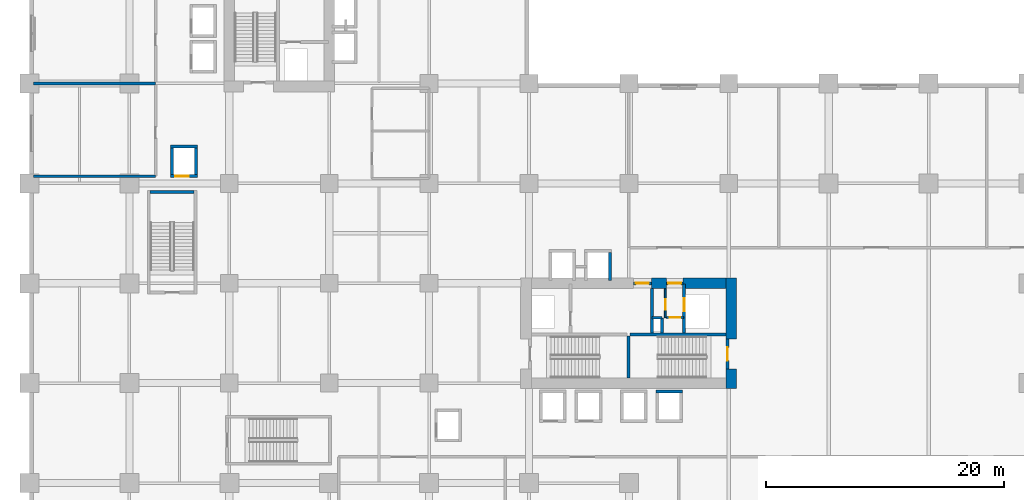
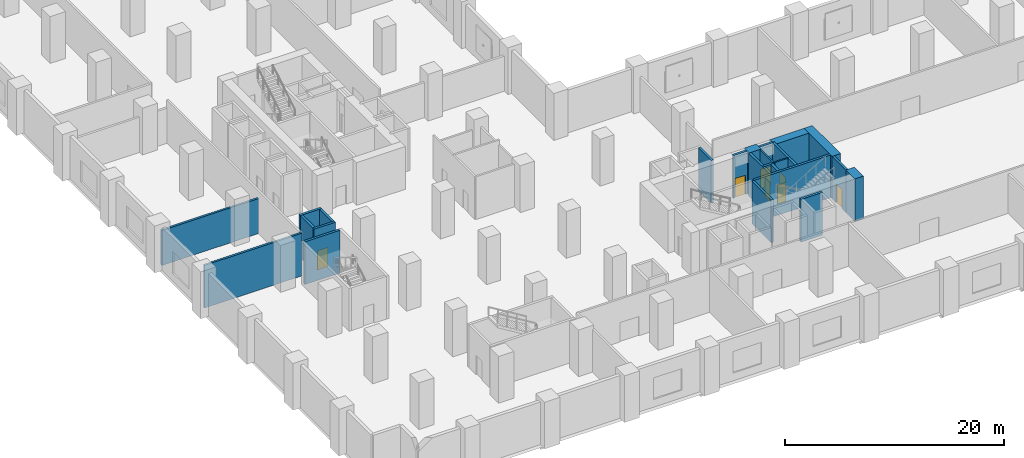
# One storey, part 10 of 23: 24 walls, 7 doors, 7 openings.
"""IFC4 building model written with IfcOpenShell, lengths in metres."""

from ifc_helpers import new_model, si_unit, direction, frame, frame_2d, origin, place, context, subcontext, project, spatial, rectangle, extrude, material, layer, layer_set, type_object, element, fill, save


model = new_model("IFC4")

# Units and contexts
model_context = context("Model", 3, precision=1e-05, world=origin(), true_north=direction((0.0, 1.0)))
body_context = subcontext(model_context, "Body", "Model", "MODEL_VIEW")
ifc_project = project(units=[si_unit("LENGTHUNIT", "METRE"), si_unit("AREAUNIT", "SQUARE_METRE"), si_unit("VOLUMEUNIT", "CUBIC_METRE"), si_unit("PLANEANGLEUNIT", "RADIAN"), si_unit("MASSUNIT", "GRAM", prefix="KILO")], contexts=[model_context])

# Site, building, storey
site_placement = place(None, origin())
site = spatial("IfcSite", under=ifc_project, at=site_placement, CompositionType="ELEMENT")
building_placement = place(site_placement, origin())
building = spatial("IfcBuilding", under=site, at=building_placement, Name="Koriwani Terraces Tower", CompositionType="ELEMENT")
storey_placement = place(building_placement, frame((0.0, 0.0, 20.800048828125)))
storey = spatial("IfcBuildingStorey", under=building, at=storey_placement, Name="L04", CompositionType="ELEMENT", Elevation=20.800048828125)

# Walls
ifc_material_1 = material(Name="Concrete C60/75", Category="concrete")
ifc_layer_1 = layer(ifc_material_1, 0.89990234375, Name="Concrete C60/75")
ifc_layer_set_1 = layer_set([ifc_layer_1], Name="Concrete C60/75")
wall_type_1 = type_object("IfcWallType", Name="WALL_CORE_RC_900", PredefinedType="SHEAR", material=ifc_layer_set_1)
wall_1_placement = place(storey_placement, frame((59.0, 16.35009765625, 0.0), z_axis=(0.0, 0.0, 1.0), x_axis=(0.0, 1.0, 0.0)))
element("IfcWall", 1, at=wall_1_placement, inside=storey, type_object=wall_type_1, Name="L04 East Split Core Shear Wall E1", PredefinedType="SHEAR", context=body_context, shape_type="SweptSolid", body=[
    extrude(rectangle(XDim=1.64990234375, YDim=0.89990234375, at=frame_2d((0.824951171875, 0.0))), origin(), (0.0, 0.0, 1.0), 4.75),
])
wall_2_placement = place(storey_placement, frame((59.0, 20.5, 0.0), z_axis=(0.0, 0.0, 1.0), x_axis=(0.0, 1.0, 0.0)))
element("IfcWall", 2, at=wall_2_placement, inside=storey, type_object=wall_type_1, Name="L04 East Split Core Shear Wall E2", PredefinedType="SHEAR", context=body_context, shape_type="SweptSolid", body=[
    extrude(rectangle(XDim=5.14990234375, YDim=0.89990234375, at=frame_2d((2.574951171875, 0.0))), origin(), (0.0, 0.0, 1.0), 4.75),
])
wall_3_placement = place(storey_placement, frame((52.280029296875, 25.199951171875, 0.0), z_axis=(0.0, 0.0, 1.0), x_axis=(1.0, 0.0, 0.0)))
element("IfcWall", 3, at=wall_3_placement, inside=storey, type_object=wall_type_1, Name="L04 East Split Core Shear Wall N2", PredefinedType="SHEAR", context=body_context, shape_type="SweptSolid", body=[
    extrude(rectangle(XDim=1.27001953125, YDim=0.89990234375, at=frame_2d((0.635009765625, 0.0))), origin(), (0.0, 0.0, 1.0), 4.75),
])
wall_4_placement = place(storey_placement, frame((54.949951171875, 25.199951171875, 0.0), z_axis=(0.0, 0.0, 1.0), x_axis=(1.0, 0.0, 0.0)))
element("IfcWall", 4, at=wall_4_placement, inside=storey, type_object=wall_type_1, Name="L04 East Split Core Shear Wall N3", PredefinedType="SHEAR", context=body_context, shape_type="SweptSolid", body=[
    extrude(rectangle(XDim=3.60009765625, YDim=0.89990234375, at=frame_2d((1.800048828125, 0.0))), origin(), (0.0, 0.0, 1.0), 4.75),
])
ifc_material_2 = material(Name="Autoclaved Cellular Concrete Blockwork", Category="masonry")
ifc_layer_2 = layer(ifc_material_2, 0.219970703125, Name="Autoclaved Cellular Concrete Blockwork")
ifc_layer_set_2 = layer_set([ifc_layer_2], Name="Autoclaved Cellular Concrete Blockwork")
wall_type_2 = type_object("IfcWallType", Name="WALL_DEMISING_220", PredefinedType="PARTITIONING", material=ifc_layer_set_2)
wall_5_placement = place(storey_placement, frame((0.35009765625, 34.199951171875, 0.0), z_axis=(0.0, 0.0, 1.0), x_axis=(1.0, 0.0, 0.0)))
element("IfcWall", 5, at=wall_5_placement, inside=storey, type_object=wall_type_2, Name="L04 Interior Wall WL04-WS-0", PredefinedType="PARTITIONING", context=body_context, shape_type="SweptSolid", body=[
    extrude(rectangle(XDim=10.25, YDim=0.219970703125, at=frame_2d((5.125, 0.0))), origin(), (0.0, 0.0, 1.0), 4.75),
])
wall_6_placement = place(storey_placement, frame((0.35009765625, 42.0, 0.0), z_axis=(0.0, 0.0, 1.0), x_axis=(1.0, 0.0, 0.0)))
element("IfcWall", 6, at=wall_6_placement, inside=storey, type_object=wall_type_2, Name="L04 Interior Wall WL04-WN-0", PredefinedType="PARTITIONING", context=body_context, shape_type="SweptSolid", body=[
    extrude(rectangle(XDim=10.25, YDim=0.219970703125, at=frame_2d((5.125, 0.0))), origin(), (0.0, 0.0, 1.0), 3.89990234375),
])
ifc_material_3 = material(Name="Concrete C40/50", Category="concrete")
ifc_layer_3 = layer(ifc_material_3, 0.25, Name="Concrete C40/50")
ifc_layer_set_3 = layer_set([ifc_layer_3], Name="Concrete C40/50")
wall_type_3 = type_object("IfcWallType", Name="WALL_SHAFT_RATED_250", PredefinedType="SOLIDWALL", material=ifc_layer_set_3)
wall_7_placement = place(storey_placement, frame((50.5, 20.875, 0.0), z_axis=(0.0, 0.0, 1.0), x_axis=(1.0, 0.0, 0.0)))
element("IfcWall", 7, at=wall_7_placement, inside=storey, type_object=wall_type_3, Name="L04 East Split Core Web Wall MID2", PredefinedType="SOLIDWALL", context=body_context, shape_type="SweptSolid", body=[
    extrude(rectangle(XDim=8.050048828125, YDim=0.25, at=frame_2d((4.02490234375, 0.0))), origin(), (0.0, 0.0, 1.0), 4.75),
])
wall_8_placement = place(storey_placement, frame((50.375, 17.25, 0.0), z_axis=(0.0, 0.0, 1.0), x_axis=(0.0, 1.0, 0.0)))
element("IfcWall", 8, at=wall_8_placement, inside=storey, type_object=wall_type_3, Name="L04 East Split Core Stair Dividing Wall", PredefinedType="SOLIDWALL", context=body_context, shape_type="SweptSolid", body=[
    extrude(rectangle(XDim=3.5, YDim=0.25, at=frame_2d((1.75, 0.0))), origin(), (0.0, 0.0, 1.0), 4.75),
])
wall_9_placement = place(storey_placement, frame((10.14990234375, 32.875, 0.0), z_axis=(0.0, 0.0, 1.0), x_axis=(1.0, 0.0, 0.0)))
element("IfcWall", 9, at=wall_9_placement, inside=storey, type_object=wall_type_3, Name="L04 Podium Stair ST-P1 North Bearing Wall", PredefinedType="SOLIDWALL", context=body_context, shape_type="SweptSolid", body=[
    extrude(rectangle(XDim=3.7001953125, YDim=0.25, at=frame_2d((1.85009765625, 0.0))), origin(), (0.0, 0.0, 1.0), 4.75),
])

# Wall, opening, door
wall_10_placement = place(storey_placement, frame((58.675048828125, 18.0, 0.0), z_axis=(0.0, 0.0, 1.0), x_axis=(0.0, 1.0, 0.0)))
wall_10 = element("IfcWall", 10, at=wall_10_placement, inside=storey, type_object=wall_type_3, Name="L04 Interior Wall WIN-CE-L04-STE", PredefinedType="SOLIDWALL", context=body_context, shape_type="SweptSolid", body=[
    extrude(rectangle(XDim=2.5, YDim=0.25, at=frame_2d((1.25, 0.0))), origin(), (0.0, 0.0, 1.0), 4.75),
])
opening_1_placement = place(wall_10_placement, frame((0.699951171875, 0.0, 0.0)))
opening_1 = element("IfcOpeningElement", 11, at=opening_1_placement, cuts=wall_10, Name="Opening D-03", PredefinedType="OPENING", context=body_context, shape_type="SweptSolid", body=[
    extrude(rectangle(XDim=1.10009765625, YDim=2.14990234375, at=frame_2d((0.550048828125, 1.074951171875))), frame((0.0, 0.135009765625, 0.0), z_axis=(0.0, -1.0, 0.0), x_axis=(1.0, 0.0, 0.0)), (0.0, 0.0, 1.0), 0.27001953125),
])
ifc_material_4 = material(Name="Steel ASTM A572 Grade 50", Category="steel")
door_type_1 = type_object("IfcDoorType", Name="DOOR_STAIR_FIRE_1100X2150", OperationType="NOTDEFINED", PredefinedType="DOOR", material=ifc_material_4)
door_1_placement = place(opening_1_placement, origin())
door_1 = element("IfcDoor", 12, at=door_1_placement, inside=storey, type_object=door_type_1, Name="L04 Exit Stair ST-E2 Door", OperationType="SINGLE_SWING_LEFT", OverallHeight=2.14990234375, OverallWidth=1.10009765625, PredefinedType="DOOR", context=body_context, shape_type="SweptSolid", body=[
    extrude(rectangle(XDim=1.10009765625, YDim=2.14990234375, at=frame_2d((0.550048828125, 1.074951171875))), frame((0.0, 0.02490234375, 0.0), z_axis=(0.0, -1.0, 0.0), x_axis=(1.0, 0.0, 0.0)), (0.0, 0.0, 1.0), 0.050048828125),
])
fill(opening_1, door_1)

wall_11_placement = place(storey_placement, frame((50.800048828125, 25.199951171875, 0.0), z_axis=(0.0, 0.0, 1.0), x_axis=(1.0, 0.0, 0.0)))
wall_11 = element("IfcWall", 13, at=wall_11_placement, inside=storey, type_object=wall_type_3, Name="L04 Interior Wall WIN-CE-L04-NP", PredefinedType="SOLIDWALL", context=body_context, shape_type="SweptSolid", body=[
    extrude(rectangle(XDim=1.47998046875, YDim=0.25, at=frame_2d((0.739990234375, 0.0))), origin(), (0.0, 0.0, 1.0), 4.75),
])
opening_2_placement = place(wall_11_placement, frame((0.179931640625, 0.0, 0.0)))
opening_2 = element("IfcOpeningElement", 14, at=opening_2_placement, cuts=wall_11, Name="Opening D-03", PredefinedType="OPENING", context=body_context, shape_type="SweptSolid", body=[
    extrude(rectangle(XDim=1.10009765625, YDim=2.14990234375, at=frame_2d((0.550048828125, 1.074951171875))), frame((0.0, 0.135009765625, 0.0), z_axis=(0.0, -1.0, 0.0), x_axis=(1.0, 0.0, 0.0)), (0.0, 0.0, 1.0), 0.27001953125),
])
door_2_placement = place(opening_2_placement, origin())
door_2 = element("IfcDoor", 15, at=door_2_placement, inside=storey, type_object=door_type_1, Name="L04 East Firefighting Lobby Door", OperationType="SINGLE_SWING_RIGHT", OverallHeight=2.14990234375, OverallWidth=1.10009765625, PredefinedType="DOOR", context=body_context, shape_type="SweptSolid", body=[
    extrude(rectangle(XDim=1.10009765625, YDim=2.14990234375, at=frame_2d((0.550048828125, 1.074951171875))), frame((0.0, 0.02490234375, 0.0), z_axis=(0.0, -1.0, 0.0), x_axis=(1.0, 0.0, 0.0)), (0.0, 0.0, 1.0), 0.050048828125),
])
fill(opening_2, door_2)

# Wall
wall_12_placement = place(storey_placement, frame((52.340087890625, 21.0, 0.0), z_axis=(0.0, 0.0, 1.0), x_axis=(0.0, 1.0, 0.0)))
element("IfcWall", 16, at=wall_12_placement, inside=storey, type_object=wall_type_3, Name="L04 Interior Wall WIN-CE-L04-FFE", PredefinedType="SOLIDWALL", context=body_context, shape_type="SweptSolid", body=[
    extrude(rectangle(XDim=3.75, YDim=0.25, at=frame_2d((1.875, 0.0))), origin(), (0.0, 0.0, 1.0), 4.75),
])

# Wall, opening, door
wall_13_placement = place(storey_placement, frame((55.050048828125, 21.0, 0.0), z_axis=(0.0, 0.0, 1.0), x_axis=(0.0, 1.0, 0.0)))
wall_13 = element("IfcWall", 17, at=wall_13_placement, inside=storey, type_object=wall_type_3, Name="L04 Interior Wall WIN-CE-L04-SE", PredefinedType="SOLIDWALL", context=body_context, shape_type="SweptSolid", body=[
    extrude(rectangle(XDim=4.14990234375, YDim=0.25, at=frame_2d((2.074951171875, 0.0))), origin(), (0.0, 0.0, 1.0), 4.75),
])
opening_3_placement = place(wall_13_placement, frame((1.85009765625, 0.0, 0.0)))
opening_3 = element("IfcOpeningElement", 18, at=opening_3_placement, cuts=wall_13, Name="Opening LD-01", PredefinedType="OPENING", context=body_context, shape_type="SweptSolid", body=[
    extrude(rectangle(XDim=1.10009765625, YDim=2.14990234375, at=frame_2d((0.550048828125, 1.074951171875))), frame((0.0, 0.135009765625, 0.0), z_axis=(0.0, -1.0, 0.0), x_axis=(1.0, 0.0, 0.0)), (0.0, 0.0, 1.0), 0.27001953125),
])
door_type_2 = type_object("IfcDoorType", Name="DOOR_LIFT_LANDING_1100X2200", OperationType="NOTDEFINED", PredefinedType="DOOR", material=ifc_material_4)
door_3_placement = place(opening_3_placement, origin())
door_3 = element("IfcDoor", 19, at=door_3_placement, inside=storey, type_object=door_type_2, Name="L04 Goods Lift SE-02 Landing Door", OperationType="SLIDING_TO_LEFT", OverallHeight=2.14990234375, OverallWidth=1.10009765625, PredefinedType="DOOR", context=body_context, shape_type="SweptSolid", body=[
    extrude(rectangle(XDim=1.10009765625, YDim=2.14990234375, at=frame_2d((0.550048828125, 1.074951171875))), frame((0.0, 0.02490234375, 0.0), z_axis=(0.0, -1.0, 0.0), x_axis=(1.0, 0.0, 0.0)), (0.0, 0.0, 1.0), 0.050048828125),
])
fill(opening_3, door_3)

wall_14_placement = place(storey_placement, frame((53.550048828125, 25.199951171875, 0.0), z_axis=(0.0, 0.0, 1.0), x_axis=(1.0, 0.0, 0.0)))
wall_14 = element("IfcWall", 20, at=wall_14_placement, inside=storey, type_object=wall_type_3, Name="L04 Interior Wall WIN-CE-L04-NP2", PredefinedType="SOLIDWALL", context=body_context, shape_type="SweptSolid", body=[
    extrude(rectangle(XDim=1.39990234375, YDim=0.25, at=frame_2d((0.699951171875, 0.0))), origin(), (0.0, 0.0, 1.0), 4.75),
])
opening_4_placement = place(wall_14_placement, frame((0.14990234375, 0.0, 0.0)))
opening_4 = element("IfcOpeningElement", 21, at=opening_4_placement, cuts=wall_14, Name="Opening D-03", PredefinedType="OPENING", context=body_context, shape_type="SweptSolid", body=[
    extrude(rectangle(XDim=1.10009765625, YDim=2.14990234375, at=frame_2d((0.550048828125, 1.074951171875))), frame((0.0, 0.135009765625, 0.0), z_axis=(0.0, -1.0, 0.0), x_axis=(1.0, 0.0, 0.0)), (0.0, 0.0, 1.0), 0.27001953125),
])
door_4_placement = place(opening_4_placement, origin())
door_4 = element("IfcDoor", 22, at=door_4_placement, inside=storey, type_object=door_type_1, Name="L04 East Goods Lift Lobby Door", OperationType="SINGLE_SWING_LEFT", OverallHeight=2.14990234375, OverallWidth=1.10009765625, PredefinedType="DOOR", context=body_context, shape_type="SweptSolid", body=[
    extrude(rectangle(XDim=1.10009765625, YDim=2.14990234375, at=frame_2d((0.550048828125, 1.074951171875))), frame((0.0, 0.02490234375, 0.0), z_axis=(0.0, -1.0, 0.0), x_axis=(1.0, 0.0, 0.0)), (0.0, 0.0, 1.0), 0.050048828125),
])
fill(opening_4, door_4)

# Walls
wall_15_placement = place(storey_placement, frame((53.199951171875, 21.0, 0.0), z_axis=(0.0, 0.0, 1.0), x_axis=(0.0, 1.0, 0.0)))
element("IfcWall", 23, at=wall_15_placement, inside=storey, type_object=wall_type_3, Name="L04 Interior Wall WIN-CE-L04-RS1", PredefinedType="SOLIDWALL", context=body_context, shape_type="SweptSolid", body=[
    extrude(rectangle(XDim=1.300048828125, YDim=0.25, at=frame_2d((0.64990234375, 0.0))), origin(), (0.0, 0.0, 1.0), 4.75),
])
wall_16_placement = place(storey_placement, frame((52.360107421875, 22.300048828125, 0.0), z_axis=(0.0, 0.0, 1.0), x_axis=(1.0, 0.0, 0.0)))
element("IfcWall", 24, at=wall_16_placement, inside=storey, type_object=wall_type_3, Name="L04 Interior Wall WIN-CE-L04-RS2", PredefinedType="SOLIDWALL", context=body_context, shape_type="SweptSolid", body=[
    extrude(rectangle(XDim=0.83984375, YDim=0.25, at=frame_2d((0.419921875, 0.0))), origin(), (0.0, 0.0, 1.0), 4.75),
])

# Wall, opening, door
wall_17_placement = place(storey_placement, frame((11.875, 34.199951171875, 0.0), z_axis=(0.0, 0.0, 1.0), x_axis=(1.0, 0.0, 0.0)))
wall_17 = element("IfcWall", 25, at=wall_17_placement, inside=storey, type_object=wall_type_3, Name="L04 Interior Wall WIN-LF-PE-P1-L04-F", PredefinedType="SOLIDWALL", context=body_context, shape_type="SweptSolid", body=[
    extrude(rectangle(XDim=2.25, YDim=0.25, at=frame_2d((1.125, 0.0))), origin(), (0.0, 0.0, 1.0), 4.75),
])
opening_5_placement = place(wall_17_placement, frame((0.39990234375, 0.0, 0.0)))
opening_5 = element("IfcOpeningElement", 26, at=opening_5_placement, cuts=wall_17, Name="Opening LD-01", PredefinedType="OPENING", context=body_context, shape_type="SweptSolid", body=[
    extrude(rectangle(XDim=1.10009765625, YDim=2.14990234375, at=frame_2d((0.550048828125, 1.074951171875))), frame((0.0, 0.135009765625, 0.0), z_axis=(0.0, -1.0, 0.0), x_axis=(1.0, 0.0, 0.0)), (0.0, 0.0, 1.0), 0.27001953125),
])
door_5_placement = place(opening_5_placement, origin())
door_5 = element("IfcDoor", 27, at=door_5_placement, inside=storey, type_object=door_type_2, Name="L04 Passenger Lift PE-P1 Landing Door", OperationType="SLIDING_TO_LEFT", OverallHeight=2.14990234375, OverallWidth=1.10009765625, PredefinedType="DOOR", context=body_context, shape_type="SweptSolid", body=[
    extrude(rectangle(XDim=1.10009765625, YDim=2.14990234375, at=frame_2d((0.550048828125, 1.074951171875))), frame((0.0, 0.02490234375, 0.0), z_axis=(0.0, -1.0, 0.0), x_axis=(1.0, 0.0, 0.0)), (0.0, 0.0, 1.0), 0.050048828125),
])
fill(opening_5, door_5)

# Walls
for number, where, z_axis, x_axis, name in (
    (28, (11.875, 36.699951171875, 0.0), (0.0, 0.0, 1.0), (1.0, 0.0, 0.0), "L04 Interior Wall WIN-LF-PE-P1-L04-B"),
    (29, (12.0, 34.324951171875, 0.0), (0.0, 0.0, 1.0), (0.0, 1.0, 0.0), "L04 Interior Wall WIN-LF-PE-P1-L04-W"),
    (30, (14.0, 34.324951171875, 0.0), (0.0, 0.0, 1.0), (0.0, 1.0, 0.0), "L04 Interior Wall WIN-LF-PE-P1-L04-E"),
    (31, (52.675048828125, 16.10009765625, 0.0), (0.0, 0.0, 1.0), (1.0, 0.0, 0.0), "L04 Interior Wall WIN-LF-PE-M4-L04-B"),
):
    element("IfcWall", number, at=place(storey_placement, frame(where, z_axis=z_axis, x_axis=x_axis)), inside=storey, type_object=wall_type_3, Name=name, PredefinedType="SOLIDWALL", context=body_context, shape_type="SweptSolid", body=[
        extrude(rectangle(XDim=2.25, YDim=0.25, at=frame_2d((1.125, 0.0))), origin(), (0.0, 0.0, 1.0), 4.75),
    ])
wall_18_placement = place(storey_placement, frame((48.800048828125, 25.449951171875, 0.0), z_axis=(0.0, 0.0, 1.0), x_axis=(0.0, 1.0, 0.0)))
element("IfcWall", 32, at=wall_18_placement, inside=storey, type_object=wall_type_3, Name="L04 Interior Wall WIN-LF-PE-H4-L04-E", PredefinedType="SOLIDWALL", context=body_context, shape_type="SweptSolid", body=[
    extrude(rectangle(XDim=2.324951171875, YDim=0.25, at=frame_2d((1.16259765625, 0.0))), origin(), (0.0, 0.0, 1.0), 4.75),
])

# Wall, opening, door
ifc_material_5 = material(Name="Fire-Rated Acoustic Gypsum Partition", Category="masonry")
ifc_layer_4 = layer(ifc_material_5, 0.159912109375, Name="Fire-Rated Acoustic Gypsum Partition")
ifc_layer_set_4 = layer_set([ifc_layer_4], Name="Fire-Rated Acoustic Gypsum Partition")
wall_type_4 = type_object("IfcWallType", Name="WALL_SUITE_160", PredefinedType="PARTITIONING", material=ifc_layer_set_4)
wall_19_placement = place(storey_placement, frame((53.56005859375, 22.320068359375, 0.0), z_axis=(0.0, 0.0, 1.0), x_axis=(1.0, 0.0, 0.0)))
wall_19 = element("IfcWall", 33, at=wall_19_placement, inside=storey, type_object=wall_type_4, Name="L04 Interior Wall WIN-CE-L04-SV1A", PredefinedType="PARTITIONING", context=body_context, shape_type="SweptSolid", body=[
    extrude(rectangle(XDim=1.43994140625, YDim=0.159912109375, at=frame_2d((0.719970703125, 0.0))), origin(), (0.0, 0.0, 1.0), 4.75),
])
opening_6_placement = place(wall_19_placement, frame((0.260009765625, 0.0, 0.0)))
opening_6 = element("IfcOpeningElement", 34, at=opening_6_placement, cuts=wall_19, Name="Opening D-07", PredefinedType="OPENING", context=body_context, shape_type="SweptSolid", body=[
    extrude(rectangle(XDim=0.89990234375, YDim=2.10009765625, at=frame_2d((0.449951171875, 1.050048828125))), frame((0.0, 0.08984375, 0.0), z_axis=(0.0, -1.0, 0.0), x_axis=(1.0, 0.0, 0.0)), (0.0, 0.0, 1.0), 0.179931640625),
])
ifc_material_6 = material(Name="Architectural Oak Fire Door", Category="wood")
door_type_3 = type_object("IfcDoorType", Name="DOOR_BATH_INT_900X2100", OperationType="NOTDEFINED", PredefinedType="DOOR", material=ifc_material_6)
door_6_placement = place(opening_6_placement, origin())
door_6 = element("IfcDoor", 35, at=door_6_placement, inside=storey, type_object=door_type_3, Name="L04 East Telecom Room Door", OperationType="SINGLE_SWING_RIGHT", OverallHeight=2.10009765625, OverallWidth=0.89990234375, PredefinedType="DOOR", context=body_context, shape_type="SweptSolid", body=[
    extrude(rectangle(XDim=0.89990234375, YDim=2.10009765625, at=frame_2d((0.449951171875, 1.050048828125))), frame((0.0, 0.02490234375, 0.0), z_axis=(0.0, -1.0, 0.0), x_axis=(1.0, 0.0, 0.0)), (0.0, 0.0, 1.0), 0.050048828125),
])
fill(opening_6, door_6)

wall_20_placement = place(storey_placement, frame((53.4599609375, 22.320068359375, 0.0), z_axis=(0.0, 0.0, 1.0), x_axis=(0.0, 1.0, 0.0)))
wall_20 = element("IfcWall", 36, at=wall_20_placement, inside=storey, type_object=wall_type_4, Name="L04 Interior Wall WIN-CE-L04-SV1B", PredefinedType="PARTITIONING", context=body_context, shape_type="SweptSolid", body=[
    extrude(rectangle(XDim=2.39990234375, YDim=0.159912109375, at=frame_2d((1.199951171875, 0.0))), origin(), (0.0, 0.0, 1.0), 4.75),
])
opening_7_placement = place(wall_20_placement, frame((0.64990234375, 0.0, 0.0)))
opening_7 = element("IfcOpeningElement", 37, at=opening_7_placement, cuts=wall_20, Name="Opening D-07", PredefinedType="OPENING", context=body_context, shape_type="SweptSolid", body=[
    extrude(rectangle(XDim=0.89990234375, YDim=2.10009765625, at=frame_2d((0.449951171875, 1.050048828125))), frame((0.0, 0.08984375, 0.0), z_axis=(0.0, -1.0, 0.0), x_axis=(1.0, 0.0, 0.0)), (0.0, 0.0, 1.0), 0.179931640625),
])
door_7_placement = place(opening_7_placement, origin())
door_7 = element("IfcDoor", 38, at=door_7_placement, inside=storey, type_object=door_type_3, Name="L04 East Cleaners Closet Door", OperationType="SINGLE_SWING_LEFT", OverallHeight=2.10009765625, OverallWidth=0.89990234375, PredefinedType="DOOR", context=body_context, shape_type="SweptSolid", body=[
    extrude(rectangle(XDim=0.89990234375, YDim=2.10009765625, at=frame_2d((0.449951171875, 1.050048828125))), frame((0.0, 0.02490234375, 0.0), z_axis=(0.0, -1.0, 0.0), x_axis=(1.0, 0.0, 0.0)), (0.0, 0.0, 1.0), 0.050048828125),
])
fill(opening_7, door_7)

save(model, "model.ifc")
